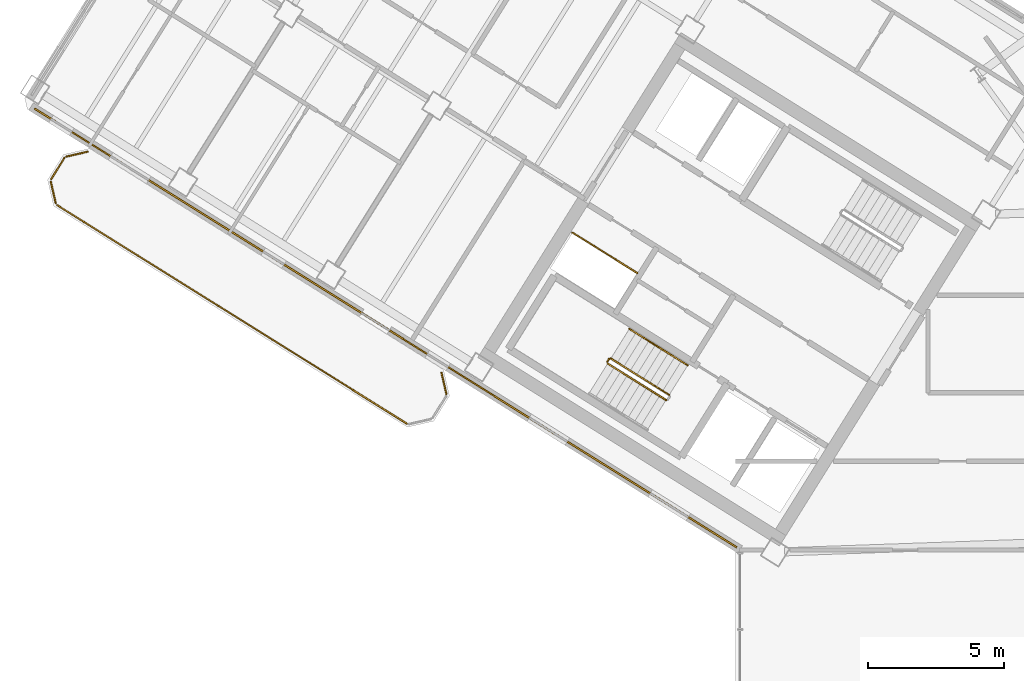
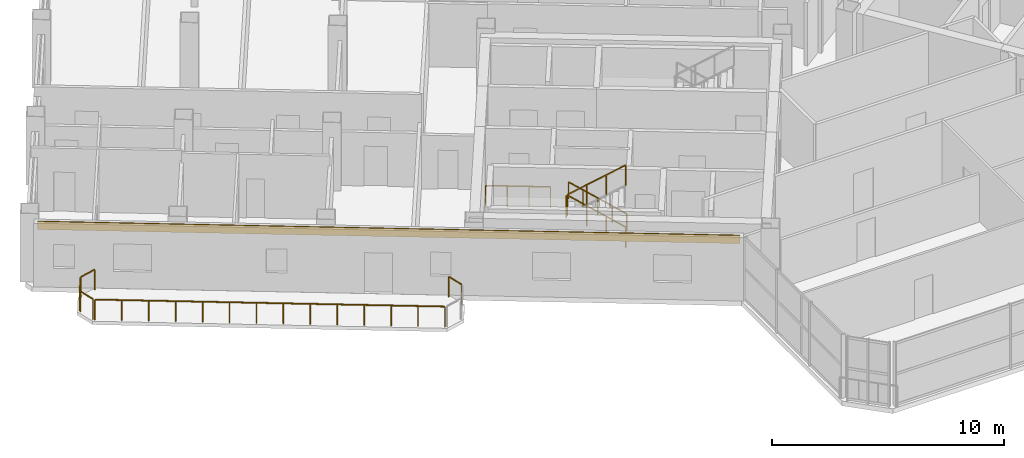
# One storey, part 18 of 21: 11 railings, 1 covering.
"""IFC4 building model written with IfcOpenShell, lengths in metres."""

from ifc_helpers import new_model, si_unit, direction, frame, origin, origin_2d, place, context, subcontext, project, spatial, rectangle, extrude, source, transform, mapped, material, layer, layer_set, type_object, element, save


model = new_model("IFC4")

# Units and contexts
model_context = context("Model", 3, precision=1e-05, world=origin(), true_north=direction((0.0, 1.0)))
body_context = subcontext(model_context, "Body", "Model", "MODEL_VIEW")
ifc_project = project(units=[si_unit("LENGTHUNIT", "METRE"), si_unit("AREAUNIT", "SQUARE_METRE"), si_unit("VOLUMEUNIT", "CUBIC_METRE"), si_unit("PLANEANGLEUNIT", "RADIAN"), si_unit("MASSUNIT", "GRAM", prefix="KILO")], contexts=[model_context])

# Site, building, storey
site_placement = place(None, origin())
site = spatial("IfcSite", under=ifc_project, at=site_placement, CompositionType="ELEMENT")
building_placement = place(site_placement, origin())
building = spatial("IfcBuilding", under=site, at=building_placement, Name="Tlacorven Tower", CompositionType="ELEMENT")
storey_placement = place(building_placement, frame((0.0, 0.0, 207.60009765625)))
storey = spatial("IfcBuildingStorey", under=building, at=storey_placement, Name="L52", CompositionType="ELEMENT", Elevation=207.60009765625)

# Railings
ifc_material_1 = material(Name="Aluminium and painted steel balustrade", Category="steel")
railing_type_1 = type_object("IfcRailingType", Name="RL-GRD-1100", PredefinedType="GUARDRAIL", material=ifc_material_1)
shared_shape_1 = source(origin(), body_context, "Body", "SweptSolid", [
    extrude(rectangle(XDim=0.048095703125, YDim=0.048095703125, at=origin_2d()), frame((0.0, 0.0, 1.076171875), z_axis=(-0.848091358275, 0.529850024081, 0.0), x_axis=(-0.529850024081, -0.848091358275, 0.0)), (0.0, 0.0, 1.0), 2.800048828125),
    extrude(rectangle(XDim=0.0419921875, YDim=0.0419921875, at=origin_2d()), origin(), (0.0, 0.0, 1.0), 1.052001953125),
    extrude(rectangle(XDim=0.0419921875, YDim=0.0419921875, at=origin_2d()), frame((-0.79150390625, 0.49462890625, 0.0)), (0.0, 0.0, 1.0), 1.052001953125),
    extrude(rectangle(XDim=0.0419921875, YDim=0.0419921875, at=origin_2d()), frame((-1.583251953125, 0.989013671875, 0.0)), (0.0, 0.0, 1.0), 1.052001953125),
    extrude(rectangle(XDim=0.0419921875, YDim=0.0419921875, at=origin_2d()), frame((-2.374755859375, 1.483642578125, 0.0)), (0.0, 0.0, 1.0), 1.052001953125),
])
railing_1_placement = place(storey_placement, frame((27.9912109375, 22.32080078125, 0.0)))
element("IfcRailing", 1, at=railing_1_placement, inside=storey, type_object=railing_type_1, Name="L52 Electrical Riser W Shaft Guard 1", PredefinedType="GUARDRAIL", context=body_context, shape_type="MappedRepresentation", body=[
    mapped(shared_shape_1, transform((0.0, 0.0, 0.0), scale=1.0)),
])
railing_type_2 = type_object("IfcRailingType", Name="RL-BAL-1100", PredefinedType="BALUSTRADE", material=ifc_material_1)
shared_shape_2 = source(origin(), body_context, "Body", "SweptSolid", [
    extrude(rectangle(XDim=0.048095703125, YDim=0.048095703125, at=origin_2d()), frame((0.0, 0.0, 1.076171875), z_axis=(0.225058334816, -0.974345290916, 0.0), x_axis=(0.974345290916, 0.225058334816, 0.0)), (0.0, 0.0, 1.0), 0.80712890625),
    extrude(rectangle(XDim=0.0419921875, YDim=0.0419921875, at=origin_2d()), origin(), (0.0, 0.0, 1.0), 1.052001953125),
    extrude(rectangle(XDim=0.0419921875, YDim=0.0419921875, at=origin_2d()), frame((0.181640625, -0.786376953125, 0.0)), (0.0, 0.0, 1.0), 1.052001953125),
])
railing_2_placement = place(storey_placement, frame((20.809814453125, 18.671142578125, 0.0)))
element("IfcRailing", 2, at=railing_2_placement, inside=storey, type_object=railing_type_2, Name="BAL-L52-W-OUT Guard Railing 1", PredefinedType="BALUSTRADE", context=body_context, shape_type="MappedRepresentation", body=[
    mapped(shared_shape_2, transform((0.0, 0.0, 0.0), scale=1.0)),
])
shared_shape_3 = source(origin(), body_context, "Body", "SweptSolid", [
    extrude(rectangle(XDim=0.048095703125, YDim=0.048095703125, at=origin_2d()), frame((0.0, 0.0, 1.076171875), z_axis=(-0.225058334816, 0.974345290916, 0.0), x_axis=(-0.974345290916, -0.225058334816, 0.0)), (0.0, 0.0, 1.0), 0.80712890625),
    extrude(rectangle(XDim=0.0419921875, YDim=0.0419921875, at=origin_2d()), origin(), (0.0, 0.0, 1.0), 1.052001953125),
    extrude(rectangle(XDim=0.0419921875, YDim=0.0419921875, at=origin_2d()), frame((-0.181640625, 0.786376953125, 0.0)), (0.0, 0.0, 1.0), 1.052001953125),
])
railing_3_placement = place(storey_placement, frame((6.66650390625, 24.88623046875, 0.0)))
element("IfcRailing", 3, at=railing_3_placement, inside=storey, type_object=railing_type_2, Name="BAL-L52-W-OUT Guard Railing 5", PredefinedType="BALUSTRADE", context=body_context, shape_type="MappedRepresentation", body=[
    mapped(shared_shape_3, transform((0.0, 0.0, 0.0), scale=1.0)),
])
shared_shape_4 = source(origin(), body_context, "Body", "SweptSolid", [
    extrude(rectangle(XDim=0.048095703125, YDim=0.048095703125, at=origin_2d()), frame((0.0, 0.0, 1.076171875), z_axis=(0.974411586182, 0.224771129628, 0.0), x_axis=(-0.224771129628, 0.974411586182, 0.0)), (0.0, 0.0, 1.0), 0.80712890625),
    extrude(rectangle(XDim=0.0419921875, YDim=0.0419921875, at=origin_2d()), origin(), (0.0, 0.0, 1.0), 1.052001953125),
    extrude(rectangle(XDim=0.0419921875, YDim=0.0419921875, at=origin_2d()), frame((0.786376953125, 0.181396484375, 0.0)), (0.0, 0.0, 1.0), 1.052001953125),
])
railing_4_placement = place(storey_placement, frame((7.05859375, 26.591064453125, 0.0)))
element("IfcRailing", 4, at=railing_4_placement, inside=storey, type_object=railing_type_2, Name="BAL-L52-W-OUT Guard Railing 7", PredefinedType="BALUSTRADE", context=body_context, shape_type="MappedRepresentation", body=[
    mapped(shared_shape_4, transform((0.0, 0.0, 0.0), scale=1.0)),
])
shared_shape_5 = source(origin(), body_context, "Body", "SweptSolid", [
    extrude(rectangle(XDim=0.048095703125, YDim=0.048095703125, at=origin_2d()), frame((0.0, 0.0, 1.076171875), z_axis=(0.529998940003, 0.847998304005, 0.0), x_axis=(-0.847998304005, 0.529998940003, 0.0)), (0.0, 0.0, 1.0), 0.912109375),
    extrude(rectangle(XDim=0.0419921875, YDim=0.0419921875, at=origin_2d()), origin(), (0.0, 0.0, 1.0), 1.052001953125),
    extrude(rectangle(XDim=0.0419921875, YDim=0.0419921875, at=origin_2d()), frame((0.4833984375, 0.7734375, 0.0)), (0.0, 0.0, 1.0), 1.052001953125),
])
railing_5_placement = place(storey_placement, frame((6.5, 25.763916015625, 0.0)))
element("IfcRailing", 5, at=railing_5_placement, inside=storey, type_object=railing_type_2, Name="BAL-L52-W-OUT Guard Railing 6", PredefinedType="BALUSTRADE", context=body_context, shape_type="MappedRepresentation", body=[
    mapped(shared_shape_5, transform((0.0, 0.0, 0.0), scale=1.0)),
])

# Covering
ifc_material_2 = material(Name="Precast concrete C45/55", Category="concrete")
ifc_layer = layer(ifc_material_2, 0.06005859375)
ifc_layer_set = layer_set([ifc_layer], Name="Precast concrete C45/55")
covering_type = type_object("IfcCoveringType", Name="CV-CLD-TERC", PredefinedType="CLADDING", material=ifc_layer_set)
shared_shape_6 = source(origin(), body_context, "Body", "SweptSolid", [
    extrude(rectangle(XDim=30.35205078125, YDim=0.06005859375, at=origin_2d()), origin(), (0.0, 0.0, 1.0), 0.419921875),
])
covering_placement = place(storey_placement, frame((18.7626953125, 20.3046875, 2.929931640625), z_axis=(0.0, 0.0, 1.0), x_axis=(-0.848048152806, 0.529919173576, 0.0)))
element("IfcCovering", 6, at=covering_placement, inside=storey, type_object=covering_type, Name="L52 Masonry-Frame Spandrel Cladding 1", PredefinedType="CLADDING", context=body_context, shape_type="MappedRepresentation", body=[
    mapped(shared_shape_6, transform((0.0, 0.0, 0.0), scale=1.0)),
])

# Railings
shared_shape_7 = source(origin(), body_context, "Body", "SweptSolid", [
    extrude(rectangle(XDim=0.048095703125, YDim=0.048095703125, at=origin_2d()), frame((0.0, 0.0, 1.076171875), z_axis=(-0.848051830527, 0.529913287944, 0.0), x_axis=(-0.529913287944, -0.848051830527, 0.0)), (0.0, 0.0, 1.0), 15.1171875),
    extrude(rectangle(XDim=0.0419921875, YDim=0.0419921875, at=origin_2d()), origin(), (0.0, 0.0, 1.0), 1.052001953125),
    extrude(rectangle(XDim=0.0419921875, YDim=0.0419921875, at=origin_2d()), frame((-0.986083984375, 0.6162109375, 0.0)), (0.0, 0.0, 1.0), 1.052001953125),
    extrude(rectangle(XDim=0.0419921875, YDim=0.0419921875, at=origin_2d()), frame((-1.972412109375, 1.232421875, 0.0)), (0.0, 0.0, 1.0), 1.052001953125),
    extrude(rectangle(XDim=0.0419921875, YDim=0.0419921875, at=origin_2d()), frame((-2.95849609375, 1.8486328125, 0.0)), (0.0, 0.0, 1.0), 1.052001953125),
    extrude(rectangle(XDim=0.0419921875, YDim=0.0419921875, at=origin_2d()), frame((-3.944580078125, 2.46484375, 0.0)), (0.0, 0.0, 1.0), 1.052001953125),
    extrude(rectangle(XDim=0.0419921875, YDim=0.0419921875, at=origin_2d()), frame((-4.930908203125, 3.0810546875, 0.0)), (0.0, 0.0, 1.0), 1.052001953125),
    extrude(rectangle(XDim=0.0419921875, YDim=0.0419921875, at=origin_2d()), frame((-5.9169921875, 3.697265625, 0.0)), (0.0, 0.0, 1.0), 1.052001953125),
    extrude(rectangle(XDim=0.0419921875, YDim=0.0419921875, at=origin_2d()), frame((-6.903076171875, 4.3134765625, 0.0)), (0.0, 0.0, 1.0), 1.052001953125),
    extrude(rectangle(XDim=0.0419921875, YDim=0.0419921875, at=origin_2d()), frame((-7.88916015625, 4.9296875, 0.0)), (0.0, 0.0, 1.0), 1.052001953125),
    extrude(rectangle(XDim=0.0419921875, YDim=0.0419921875, at=origin_2d()), frame((-8.87548828125, 5.5458984375, 0.0)), (0.0, 0.0, 1.0), 1.052001953125),
    extrude(rectangle(XDim=0.0419921875, YDim=0.0419921875, at=origin_2d()), frame((-9.861572265625, 6.162109375, 0.0)), (0.0, 0.0, 1.0), 1.052001953125),
    extrude(rectangle(XDim=0.0419921875, YDim=0.0419921875, at=origin_2d()), frame((-10.84765625, 6.7783203125, 0.0)), (0.0, 0.0, 1.0), 1.052001953125),
    extrude(rectangle(XDim=0.0419921875, YDim=0.0419921875, at=origin_2d()), frame((-11.833984375, 7.39453125, 0.0)), (0.0, 0.0, 1.0), 1.052001953125),
    extrude(rectangle(XDim=0.0419921875, YDim=0.0419921875, at=origin_2d()), frame((-12.820068359375, 8.0107421875, 0.0)), (0.0, 0.0, 1.0), 1.052001953125),
])
railing_6_placement = place(storey_placement, frame((19.5400390625, 16.80029296875, 0.0)))
element("IfcRailing", 7, at=railing_6_placement, inside=storey, type_object=railing_type_2, Name="BAL-L52-W-OUT Guard Railing 4", PredefinedType="BALUSTRADE", context=body_context, shape_type="MappedRepresentation", body=[
    mapped(shared_shape_7, transform((0.0, 0.0, 0.0), scale=1.0)),
])
shared_shape_8 = source(origin(), body_context, "Body", "SweptSolid", [
    extrude(rectangle(XDim=0.048095703125, YDim=0.048095703125, at=origin_2d()), frame((0.0, 0.0, 1.076171875), z_axis=(-0.530546985787, -0.847655529016, 0.0), x_axis=(0.847655529016, -0.530546985787, 0.0)), (0.0, 0.0, 1.0), 0.1201171875),
    extrude(rectangle(XDim=0.0419921875, YDim=0.0419921875, at=origin_2d()), origin(), (0.0, 0.0, 1.0), 1.052001953125),
    extrude(rectangle(XDim=0.0419921875, YDim=0.0419921875, at=origin_2d()), frame((-0.063720703125, -0.101806640625, 0.0)), (0.0, 0.0, 1.0), 1.052001953125),
])
railing_7_placement = place(storey_placement, frame((26.954833984375, 19.17138671875, 1.7998046875)))
element("IfcRailing", 8, at=railing_7_placement, inside=storey, type_object=railing_type_1, Name="L52 ST-W1 stair guard 2", PredefinedType="GUARDRAIL", context=body_context, shape_type="MappedRepresentation", body=[
    mapped(shared_shape_8, transform((0.0, 0.0, 0.0), scale=1.0)),
])
railing_type_3 = type_object("IfcRailingType", Name="RL-HND-0900", PredefinedType="HANDRAIL", material=ifc_material_1)
shared_shape_9 = source(origin(), body_context, "Body", "SweptSolid", [
    extrude(rectangle(XDim=0.048095703125, YDim=0.048095703125, at=origin_2d()), frame((0.0, 0.0, 0.8759765625), z_axis=(-0.713359751793, 0.4457479829, 0.540764828981), x_axis=(-0.529911857636, -0.848052724267, 0.0)), (0.0, 0.0, 1.0), 1.498046875),
    extrude(rectangle(XDim=0.0419921875, YDim=0.0419921875, at=origin_2d()), origin(), (0.0, 0.0, 1.0), 0.851806640625),
    extrude(rectangle(XDim=0.0419921875, YDim=0.0419921875, at=origin_2d()), frame((-0.5341796875, 0.333984375, 0.405029296875)), (0.0, 0.0, 1.0), 0.851806640625),
    extrude(rectangle(XDim=0.0419921875, YDim=0.0419921875, at=origin_2d()), frame((-1.068603515625, 0.667724609375, 0.81005859375)), (0.0, 0.0, 1.0), 0.851806640625),
])
railing_8_placement = place(storey_placement, frame((29.839111328125, 18.937255859375, 0.179931640625)))
element("IfcRailing", 9, at=railing_8_placement, inside=storey, type_object=railing_type_3, Name="L52 ST-W1 stair handrail 1", PredefinedType="HANDRAIL", context=body_context, shape_type="MappedRepresentation", body=[
    mapped(shared_shape_9, transform((0.0, 0.0, 0.0), scale=1.0)),
])
shared_shape_10 = source(origin(), body_context, "Body", "SweptSolid", [
    extrude(rectangle(XDim=0.048095703125, YDim=0.048095703125, at=origin_2d()), frame((0.0, 0.0, 1.076171875), z_axis=(-0.713351164325, 0.445793541512, 0.540738601085), x_axis=(-0.529955395941, -0.84802551749, 0.0)), (0.0, 0.0, 1.0), 2.99560546875),
    extrude(rectangle(XDim=0.0419921875, YDim=0.0419921875, at=origin_2d()), origin(), (0.0, 0.0, 1.0), 1.052001953125),
    extrude(rectangle(XDim=0.0419921875, YDim=0.0419921875, at=origin_2d()), frame((-0.71240234375, 0.445068359375, 0.5400390625)), (0.0, 0.0, 1.0), 1.052001953125),
    extrude(rectangle(XDim=0.0419921875, YDim=0.0419921875, at=origin_2d()), frame((-1.424560546875, 0.890380859375, 1.079833984375)), (0.0, 0.0, 1.0), 1.052001953125),
    extrude(rectangle(XDim=0.0419921875, YDim=0.0419921875, at=origin_2d()), frame((-2.136962890625, 1.33544921875, 1.619873046875)), (0.0, 0.0, 1.0), 1.052001953125),
])
railing_9_placement = place(storey_placement, frame((29.16064453125, 17.851806640625, 0.179931640625)))
element("IfcRailing", 10, at=railing_9_placement, inside=storey, type_object=railing_type_1, Name="L52 ST-W1 stair guard 1", PredefinedType="GUARDRAIL", context=body_context, shape_type="MappedRepresentation", body=[
    mapped(shared_shape_10, transform((0.0, 0.0, 0.0), scale=1.0)),
])
shared_shape_11 = source(origin(), body_context, "Body", "SweptSolid", [
    extrude(rectangle(XDim=0.048095703125, YDim=0.048095703125, at=origin_2d()), frame((0.0, 0.0, 1.076171875), z_axis=(0.71339118691, -0.44576762536, 0.540707165313), x_axis=(0.529911857636, 0.848052724267, 0.0)), (0.0, 0.0, 1.0), 2.995849609375),
    extrude(rectangle(XDim=0.0419921875, YDim=0.0419921875, at=origin_2d()), origin(), (0.0, 0.0, 1.0), 1.052001953125),
    extrude(rectangle(XDim=0.0419921875, YDim=0.0419921875, at=origin_2d()), frame((0.71240234375, -0.445068359375, 0.5400390625)), (0.0, 0.0, 1.0), 1.052001953125),
    extrude(rectangle(XDim=0.0419921875, YDim=0.0419921875, at=origin_2d()), frame((1.4248046875, -0.890380859375, 1.079833984375)), (0.0, 0.0, 1.0), 1.052001953125),
    extrude(rectangle(XDim=0.0419921875, YDim=0.0419921875, at=origin_2d()), frame((2.13720703125, -1.33544921875, 1.619873046875)), (0.0, 0.0, 1.0), 1.052001953125),
])
railing_10_placement = place(storey_placement, frame((26.906982421875, 19.000732421875, 1.97998046875)))
element("IfcRailing", 11, at=railing_10_placement, inside=storey, type_object=railing_type_1, Name="L52 ST-W1 stair guard 3", PredefinedType="GUARDRAIL", context=body_context, shape_type="MappedRepresentation", body=[
    mapped(shared_shape_11, transform((0.0, 0.0, 0.0), scale=1.0)),
])
shared_shape_12 = source(origin(), body_context, "Body", "SweptSolid", [
    extrude(rectangle(XDim=0.048095703125, YDim=0.048095703125, at=origin_2d()), frame((0.0, 0.0, 0.8759765625), z_axis=(-0.713422621445, 0.445787267455, 0.540649494022), x_axis=(-0.529911857636, -0.848052724267, 0.0)), (0.0, 0.0, 1.0), 1.497802734375),
    extrude(rectangle(XDim=0.0419921875, YDim=0.0419921875, at=origin_2d()), origin(), (0.0, 0.0, 1.0), 0.851806640625),
    extrude(rectangle(XDim=0.0419921875, YDim=0.0419921875, at=origin_2d()), frame((-0.5341796875, 0.333984375, 0.40478515625)), (0.0, 0.0, 1.0), 0.851806640625),
    extrude(rectangle(XDim=0.0419921875, YDim=0.0419921875, at=origin_2d()), frame((-1.068603515625, 0.667724609375, 0.809814453125)), (0.0, 0.0, 1.0), 0.851806640625),
])
railing_11_placement = place(storey_placement, frame((28.7705078125, 19.60498046875, 0.989990234375)))
element("IfcRailing", 12, at=railing_11_placement, inside=storey, type_object=railing_type_3, Name="L52 ST-W1 stair handrail 2", PredefinedType="HANDRAIL", context=body_context, shape_type="MappedRepresentation", body=[
    mapped(shared_shape_12, transform((0.0, 0.0, 0.0), scale=1.0)),
])

save(model, "model.ifc")
